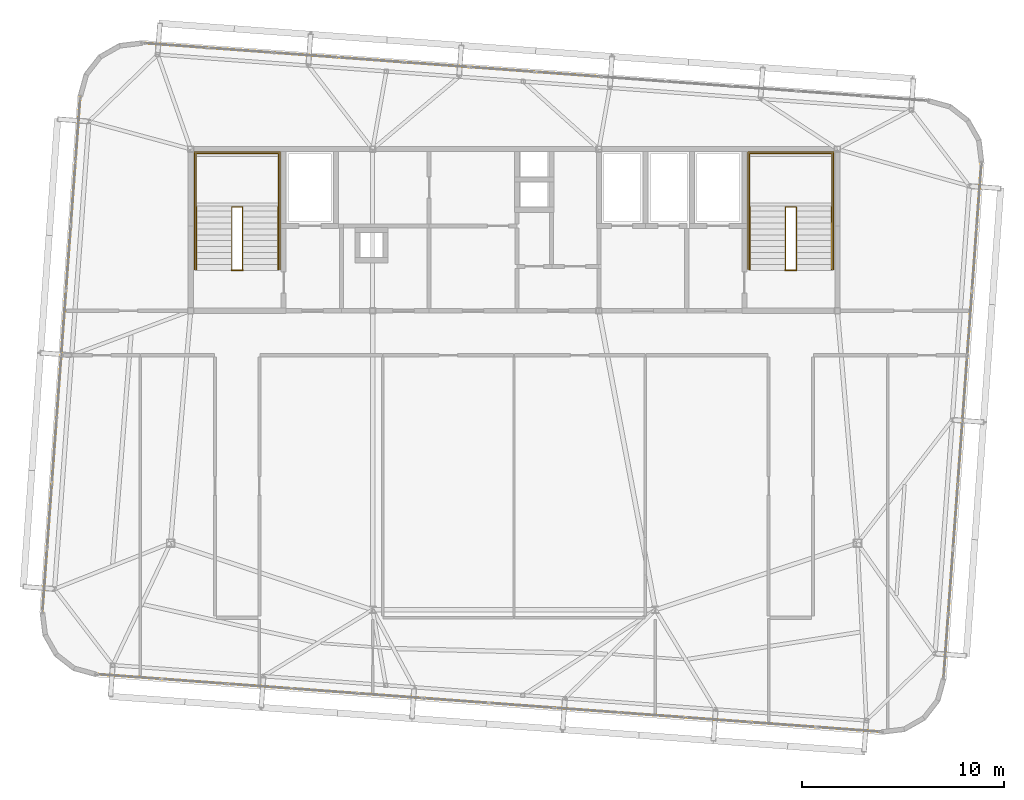
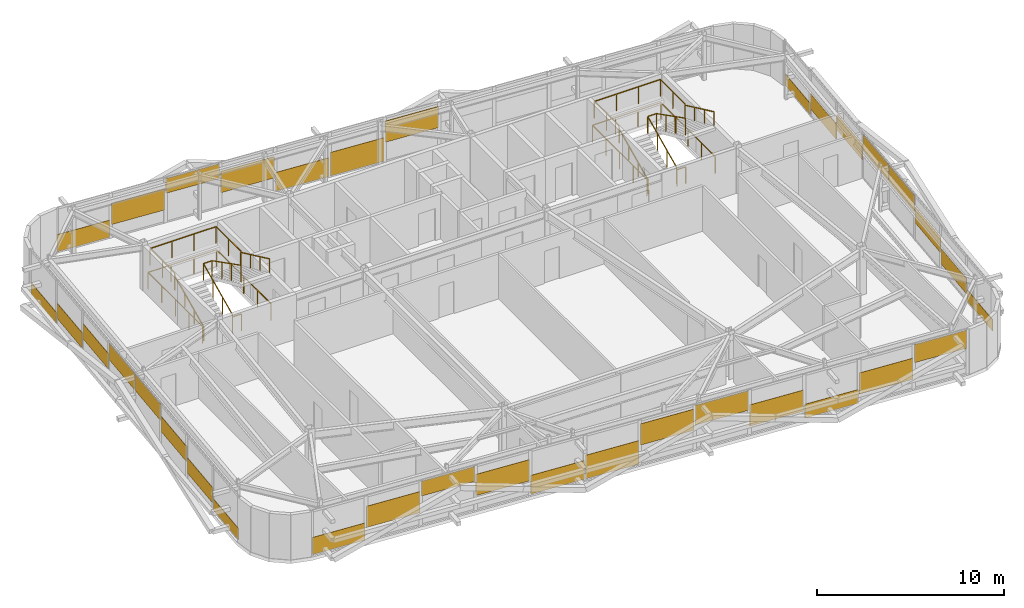
# One storey, part 41 of 42: 35 coverings, 12 railings.
"""IFC4 building model written with IfcOpenShell, lengths in metres."""

from ifc_helpers import new_model, si_unit, direction, frame, origin, origin_2d, place, context, subcontext, project, spatial, rectangle, extrude, source, transform, mapped, material, layer, layer_set, type_object, element, save


model = new_model("IFC4")

# Units and contexts
model_context = context("Model", 3, precision=1e-05, world=origin(), true_north=direction((0.0, 1.0)))
body_context = subcontext(model_context, "Body", "Model", "MODEL_VIEW")
ifc_project = project(units=[si_unit("LENGTHUNIT", "METRE"), si_unit("AREAUNIT", "SQUARE_METRE"), si_unit("VOLUMEUNIT", "CUBIC_METRE"), si_unit("PLANEANGLEUNIT", "RADIAN"), si_unit("MASSUNIT", "GRAM", prefix="KILO")], contexts=[model_context])

# Site, building, storey
site_placement = place(None, origin())
site = spatial("IfcSite", under=ifc_project, at=site_placement, CompositionType="ELEMENT")
building_placement = place(site_placement, origin())
building = spatial("IfcBuilding", under=site, at=building_placement, Name="Taldren Reach Tower", CompositionType="ELEMENT")
storey_placement = place(building_placement, frame((0.0, 0.0, 217.699951171875)))
storey = spatial("IfcBuildingStorey", under=building, at=storey_placement, Name="L66", CompositionType="ELEMENT", Elevation=217.699951171875)

# Railings
ifc_material_1 = material(Name="Steel Gr 350 (C350L0)", Category="steel")
ifc_layer_1 = layer(ifc_material_1, 0.050048828125)
ifc_layer_set_1 = layer_set([ifc_layer_1], Name="Steel Gr 350 (C350L0)")
railing_type_1 = type_object("IfcRailingType", Name="RL-STAIR-GR", PredefinedType="GUARDRAIL", material=ifc_layer_set_1)
railing_1_placement = place(storey_placement, frame((19.260009765625, 29.135009765625, 1.574951171875)))
element("IfcRailing", 1, at=railing_1_placement, inside=storey, type_object=railing_type_1, Name="Stair half-landing perimeter guard ST1-L66", PredefinedType="GUARDRAIL", context=body_context, shape_type="SweptSolid", body=[
    extrude(rectangle(XDim=0.047852, YDim=0.047852, at=origin_2d()), frame((0.0, 0.0, 1.09619140625), z_axis=(0.0, 1.0, 0.0), x_axis=(-1.0, 0.0, 0.0)), (0.0, 0.0, 1.0), 2.64501953125),
    extrude(rectangle(XDim=0.047852, YDim=0.047852, at=origin_2d()), frame((0.0, 2.64501953125, 1.09619140625), z_axis=(1.0, 0.0, 0.0), x_axis=(0.0, 1.0, 0.0)), (0.0, 0.0, 1.0), 4.080078125),
    extrude(rectangle(XDim=0.047852, YDim=0.047852, at=origin_2d()), frame((4.080078125, 2.64501953125, 1.09619140625), z_axis=(0.0, -1.0, 0.0), x_axis=(1.0, 0.0, 0.0)), (0.0, 0.0, 1.0), 2.64501953125),
    extrude(rectangle(XDim=0.041992, YDim=0.041992, at=origin_2d()), origin(), (0.0, 0.0, 1.0), 1.072021484375),
    extrude(rectangle(XDim=0.041992, YDim=0.041992, at=origin_2d()), frame((0.0, 1.322509765625, 0.0)), (0.0, 0.0, 1.0), 1.072021484375),
    extrude(rectangle(XDim=0.041992, YDim=0.041992, at=origin_2d()), frame((0.0, 2.64501953125, 0.0)), (0.0, 0.0, 1.0), 1.072021484375),
    extrude(rectangle(XDim=0.041992, YDim=0.041992, at=origin_2d()), frame((1.360107421875, 2.64501953125, 0.0)), (0.0, 0.0, 1.0), 1.072021484375),
    extrude(rectangle(XDim=0.041992, YDim=0.041992, at=origin_2d()), frame((2.719970703125, 2.64501953125, 0.0)), (0.0, 0.0, 1.0), 1.072021484375),
    extrude(rectangle(XDim=0.041992, YDim=0.041992, at=origin_2d()), frame((4.080078125, 2.64501953125, 0.0)), (0.0, 0.0, 1.0), 1.072021484375),
    extrude(rectangle(XDim=0.041992, YDim=0.041992, at=origin_2d()), frame((4.080078125, 1.322509765625, 0.0)), (0.0, 0.0, 1.0), 1.072021484375),
    extrude(rectangle(XDim=0.041992, YDim=0.041992, at=origin_2d()), frame((4.080078125, 0.0, 0.0)), (0.0, 0.0, 1.0), 1.072021484375),
])
railing_2_placement = place(storey_placement, frame((21.030029296875, 26.050048828125, 0.13134765625)))
element("IfcRailing", 2, at=railing_2_placement, inside=storey, type_object=railing_type_1, Name="Stairwell inner guard ST1-L66", PredefinedType="GUARDRAIL", context=body_context, shape_type="SweptSolid", body=[
    extrude(rectangle(XDim=0.047852, YDim=0.047852, at=origin_2d()), frame((0.0, 0.0, 1.09619140625), z_axis=(0.0, 0.905737652094, 0.423838773095), x_axis=(-1.0, 0.0, 0.0)), (0.0, 0.0, 1.0), 3.406005859375),
    extrude(rectangle(XDim=0.047852, YDim=0.047852, at=origin_2d()), frame((0.0, 3.0849609375, 2.53955078125), z_axis=(1.0, 0.0, 0.0), x_axis=(0.0, 1.0, 0.0)), (0.0, 0.0, 1.0), 0.5400390625),
    extrude(rectangle(XDim=0.047852, YDim=0.047852, at=origin_2d()), frame((0.5400390625, 3.0849609375, 2.53955078125), z_axis=(0.0, -0.890617412389, 0.454753366946), x_axis=(1.0, 0.0, 0.0)), (0.0, 0.0, 1.0), 3.4638671875),
    extrude(rectangle(XDim=0.041992, YDim=0.041992, at=origin_2d()), origin(), (0.0, 0.0, 1.0), 1.072021484375),
    extrude(rectangle(XDim=0.041992, YDim=0.041992, at=origin_2d()), frame((0.0, 1.0283203125, 0.481201171875)), (0.0, 0.0, 1.0), 1.072021484375),
    extrude(rectangle(XDim=0.041992, YDim=0.041992, at=origin_2d()), frame((0.0, 2.056640625, 0.96240234375)), (0.0, 0.0, 1.0), 1.072021484375),
    extrude(rectangle(XDim=0.041992, YDim=0.041992, at=origin_2d()), frame((0.0, 3.0849609375, 1.443603515625)), (0.0, 0.0, 1.0), 1.072021484375),
    extrude(rectangle(XDim=0.041992, YDim=0.041992, at=origin_2d()), frame((0.5400390625, 3.0849609375, 1.443603515625)), (0.0, 0.0, 1.0), 1.072021484375),
    extrude(rectangle(XDim=0.041992, YDim=0.041992, at=origin_2d()), frame((0.5400390625, 2.056640625, 1.96875)), (0.0, 0.0, 1.0), 1.072021484375),
    extrude(rectangle(XDim=0.041992, YDim=0.041992, at=origin_2d()), frame((0.5400390625, 1.0283203125, 2.49365234375)), (0.0, 0.0, 1.0), 1.072021484375),
    extrude(rectangle(XDim=0.041992, YDim=0.041992, at=origin_2d()), frame((0.5400390625, 0.0, 3.018798828125)), (0.0, 0.0, 1.0), 1.072021484375),
])
railing_3_placement = place(storey_placement, frame((21.030029296875, 26.010009765625, 0.0)))
element("IfcRailing", 3, at=railing_3_placement, inside=storey, type_object=railing_type_1, Name="Stairwell landing slot guard ST1-L66", PredefinedType="GUARDRAIL", context=body_context, shape_type="SweptSolid", body=[
    extrude(rectangle(XDim=0.047852, YDim=0.047852, at=origin_2d()), frame((0.0, 0.0, 1.09619140625), z_axis=(1.0, 0.0, 0.0), x_axis=(0.0, 1.0, 0.0)), (0.0, 0.0, 1.0), 0.5400390625),
    extrude(rectangle(XDim=0.041992, YDim=0.041992, at=origin_2d()), origin(), (0.0, 0.0, 1.0), 1.072021484375),
    extrude(rectangle(XDim=0.041992, YDim=0.041992, at=origin_2d()), frame((0.5400390625, 0.0, 0.0)), (0.0, 0.0, 1.0), 1.072021484375),
])
railing_4_placement = place(storey_placement, frame((19.18994140625, 26.050048828125, 0.0)))
element("IfcRailing", 4, at=railing_4_placement, inside=storey, type_object=railing_type_1, Name="Stairwell floor opening guard ST1-L66", PredefinedType="GUARDRAIL", context=body_context, shape_type="SweptSolid", body=[
    extrude(rectangle(XDim=0.047852, YDim=0.047852, at=origin_2d()), frame((0.0, 0.0, 1.09619140625), z_axis=(0.0, 1.0, 0.0), x_axis=(-1.0, 0.0, 0.0)), (0.0, 0.0, 1.0), 5.800048828125),
    extrude(rectangle(XDim=0.047852, YDim=0.047852, at=origin_2d()), frame((0.0, 5.800048828125, 1.09619140625), z_axis=(1.0, 0.0, 0.0), x_axis=(0.0, 1.0, 0.0)), (0.0, 0.0, 1.0), 4.219970703125),
    extrude(rectangle(XDim=0.047852, YDim=0.047852, at=origin_2d()), frame((4.219970703125, 5.800048828125, 1.09619140625), z_axis=(0.0, -1.0, 0.0), x_axis=(1.0, 0.0, 0.0)), (0.0, 0.0, 1.0), 5.800048828125),
    extrude(rectangle(XDim=0.041992, YDim=0.041992, at=origin_2d()), origin(), (0.0, 0.0, 1.0), 1.072021484375),
    extrude(rectangle(XDim=0.041992, YDim=0.041992, at=origin_2d()), frame((0.0, 1.449951171875, 0.0)), (0.0, 0.0, 1.0), 1.072021484375),
    extrude(rectangle(XDim=0.041992, YDim=0.041992, at=origin_2d()), frame((0.0, 2.89990234375, 0.0)), (0.0, 0.0, 1.0), 1.072021484375),
    extrude(rectangle(XDim=0.041992, YDim=0.041992, at=origin_2d()), frame((0.0, 4.35009765625, 0.0)), (0.0, 0.0, 1.0), 1.072021484375),
    extrude(rectangle(XDim=0.041992, YDim=0.041992, at=origin_2d()), frame((0.0, 5.800048828125, 0.0)), (0.0, 0.0, 1.0), 1.072021484375),
    extrude(rectangle(XDim=0.041992, YDim=0.041992, at=origin_2d()), frame((1.40673828125, 5.800048828125, 0.0)), (0.0, 0.0, 1.0), 1.072021484375),
    extrude(rectangle(XDim=0.041992, YDim=0.041992, at=origin_2d()), frame((2.813232421875, 5.800048828125, 0.0)), (0.0, 0.0, 1.0), 1.072021484375),
    extrude(rectangle(XDim=0.041992, YDim=0.041992, at=origin_2d()), frame((4.219970703125, 5.800048828125, 0.0)), (0.0, 0.0, 1.0), 1.072021484375),
    extrude(rectangle(XDim=0.041992, YDim=0.041992, at=origin_2d()), frame((4.219970703125, 4.35009765625, 0.0)), (0.0, 0.0, 1.0), 1.072021484375),
    extrude(rectangle(XDim=0.041992, YDim=0.041992, at=origin_2d()), frame((4.219970703125, 2.89990234375, 0.0)), (0.0, 0.0, 1.0), 1.072021484375),
    extrude(rectangle(XDim=0.041992, YDim=0.041992, at=origin_2d()), frame((4.219970703125, 1.449951171875, 0.0)), (0.0, 0.0, 1.0), 1.072021484375),
    extrude(rectangle(XDim=0.041992, YDim=0.041992, at=origin_2d()), frame((4.219970703125, 0.0, 0.0)), (0.0, 0.0, 1.0), 1.072021484375),
])
railing_5_placement = place(storey_placement, frame((46.659912109375, 29.135009765625, 1.574951171875)))
element("IfcRailing", 5, at=railing_5_placement, inside=storey, type_object=railing_type_1, Name="Stair half-landing perimeter guard ST2-L66", PredefinedType="GUARDRAIL", context=body_context, shape_type="SweptSolid", body=[
    extrude(rectangle(XDim=0.047852, YDim=0.047852, at=origin_2d()), frame((0.0, 0.0, 1.09619140625), z_axis=(0.0, 1.0, 0.0), x_axis=(-1.0, 0.0, 0.0)), (0.0, 0.0, 1.0), 2.64501953125),
    extrude(rectangle(XDim=0.047852, YDim=0.047852, at=origin_2d()), frame((0.0, 2.64501953125, 1.09619140625), z_axis=(1.0, 0.0, 0.0), x_axis=(0.0, 1.0, 0.0)), (0.0, 0.0, 1.0), 4.080078125),
    extrude(rectangle(XDim=0.047852, YDim=0.047852, at=origin_2d()), frame((4.080078125, 2.64501953125, 1.09619140625), z_axis=(0.0, -1.0, 0.0), x_axis=(1.0, 0.0, 0.0)), (0.0, 0.0, 1.0), 2.64501953125),
    extrude(rectangle(XDim=0.041992, YDim=0.041992, at=origin_2d()), origin(), (0.0, 0.0, 1.0), 1.072021484375),
    extrude(rectangle(XDim=0.041992, YDim=0.041992, at=origin_2d()), frame((0.0, 1.322509765625, 0.0)), (0.0, 0.0, 1.0), 1.072021484375),
    extrude(rectangle(XDim=0.041992, YDim=0.041992, at=origin_2d()), frame((0.0, 2.64501953125, 0.0)), (0.0, 0.0, 1.0), 1.072021484375),
    extrude(rectangle(XDim=0.041992, YDim=0.041992, at=origin_2d()), frame((1.360107421875, 2.64501953125, 0.0)), (0.0, 0.0, 1.0), 1.072021484375),
    extrude(rectangle(XDim=0.041992, YDim=0.041992, at=origin_2d()), frame((2.719970703125, 2.64501953125, 0.0)), (0.0, 0.0, 1.0), 1.072021484375),
    extrude(rectangle(XDim=0.041992, YDim=0.041992, at=origin_2d()), frame((4.080078125, 2.64501953125, 0.0)), (0.0, 0.0, 1.0), 1.072021484375),
    extrude(rectangle(XDim=0.041992, YDim=0.041992, at=origin_2d()), frame((4.080078125, 1.322509765625, 0.0)), (0.0, 0.0, 1.0), 1.072021484375),
    extrude(rectangle(XDim=0.041992, YDim=0.041992, at=origin_2d()), frame((4.080078125, 0.0, 0.0)), (0.0, 0.0, 1.0), 1.072021484375),
])
railing_6_placement = place(storey_placement, frame((48.429931640625, 26.050048828125, 0.13134765625)))
element("IfcRailing", 6, at=railing_6_placement, inside=storey, type_object=railing_type_1, Name="Stairwell inner guard ST2-L66", PredefinedType="GUARDRAIL", context=body_context, shape_type="SweptSolid", body=[
    extrude(rectangle(XDim=0.047852, YDim=0.047852, at=origin_2d()), frame((0.0, 0.0, 1.09619140625), z_axis=(0.0, 0.905737652094, 0.423838773095), x_axis=(-1.0, 0.0, 0.0)), (0.0, 0.0, 1.0), 3.406005859375),
    extrude(rectangle(XDim=0.047852, YDim=0.047852, at=origin_2d()), frame((0.0, 3.0849609375, 2.53955078125), z_axis=(1.0, 0.0, 0.0), x_axis=(0.0, 1.0, 0.0)), (0.0, 0.0, 1.0), 0.5400390625),
    extrude(rectangle(XDim=0.047852, YDim=0.047852, at=origin_2d()), frame((0.5400390625, 3.0849609375, 2.53955078125), z_axis=(0.0, -0.890617412389, 0.454753366946), x_axis=(1.0, 0.0, 0.0)), (0.0, 0.0, 1.0), 3.4638671875),
    extrude(rectangle(XDim=0.041992, YDim=0.041992, at=origin_2d()), origin(), (0.0, 0.0, 1.0), 1.072021484375),
    extrude(rectangle(XDim=0.041992, YDim=0.041992, at=origin_2d()), frame((0.0, 1.0283203125, 0.481201171875)), (0.0, 0.0, 1.0), 1.072021484375),
    extrude(rectangle(XDim=0.041992, YDim=0.041992, at=origin_2d()), frame((0.0, 2.056640625, 0.96240234375)), (0.0, 0.0, 1.0), 1.072021484375),
    extrude(rectangle(XDim=0.041992, YDim=0.041992, at=origin_2d()), frame((0.0, 3.0849609375, 1.443603515625)), (0.0, 0.0, 1.0), 1.072021484375),
    extrude(rectangle(XDim=0.041992, YDim=0.041992, at=origin_2d()), frame((0.5400390625, 3.0849609375, 1.443603515625)), (0.0, 0.0, 1.0), 1.072021484375),
    extrude(rectangle(XDim=0.041992, YDim=0.041992, at=origin_2d()), frame((0.5400390625, 2.056640625, 1.96875)), (0.0, 0.0, 1.0), 1.072021484375),
    extrude(rectangle(XDim=0.041992, YDim=0.041992, at=origin_2d()), frame((0.5400390625, 1.0283203125, 2.49365234375)), (0.0, 0.0, 1.0), 1.072021484375),
    extrude(rectangle(XDim=0.041992, YDim=0.041992, at=origin_2d()), frame((0.5400390625, 0.0, 3.018798828125)), (0.0, 0.0, 1.0), 1.072021484375),
])
railing_7_placement = place(storey_placement, frame((48.429931640625, 26.010009765625, 0.0)))
element("IfcRailing", 7, at=railing_7_placement, inside=storey, type_object=railing_type_1, Name="Stairwell landing slot guard ST2-L66", PredefinedType="GUARDRAIL", context=body_context, shape_type="SweptSolid", body=[
    extrude(rectangle(XDim=0.047852, YDim=0.047852, at=origin_2d()), frame((0.0, 0.0, 1.09619140625), z_axis=(1.0, 0.0, 0.0), x_axis=(0.0, 1.0, 0.0)), (0.0, 0.0, 1.0), 0.5400390625),
    extrude(rectangle(XDim=0.041992, YDim=0.041992, at=origin_2d()), origin(), (0.0, 0.0, 1.0), 1.072021484375),
    extrude(rectangle(XDim=0.041992, YDim=0.041992, at=origin_2d()), frame((0.5400390625, 0.0, 0.0)), (0.0, 0.0, 1.0), 1.072021484375),
])
railing_8_placement = place(storey_placement, frame((46.590087890625, 26.050048828125, 0.0)))
element("IfcRailing", 8, at=railing_8_placement, inside=storey, type_object=railing_type_1, Name="Stairwell floor opening guard ST2-L66", PredefinedType="GUARDRAIL", context=body_context, shape_type="SweptSolid", body=[
    extrude(rectangle(XDim=0.047852, YDim=0.047852, at=origin_2d()), frame((0.0, 0.0, 1.09619140625), z_axis=(0.0, 1.0, 0.0), x_axis=(-1.0, 0.0, 0.0)), (0.0, 0.0, 1.0), 5.800048828125),
    extrude(rectangle(XDim=0.047852, YDim=0.047852, at=origin_2d()), frame((0.0, 5.800048828125, 1.09619140625), z_axis=(1.0, 0.0, 0.0), x_axis=(0.0, 1.0, 0.0)), (0.0, 0.0, 1.0), 4.219970703125),
    extrude(rectangle(XDim=0.047852, YDim=0.047852, at=origin_2d()), frame((4.219970703125, 5.800048828125, 1.09619140625), z_axis=(0.0, -1.0, 0.0), x_axis=(1.0, 0.0, 0.0)), (0.0, 0.0, 1.0), 5.800048828125),
    extrude(rectangle(XDim=0.041992, YDim=0.041992, at=origin_2d()), origin(), (0.0, 0.0, 1.0), 1.072021484375),
    extrude(rectangle(XDim=0.041992, YDim=0.041992, at=origin_2d()), frame((0.0, 1.449951171875, 0.0)), (0.0, 0.0, 1.0), 1.072021484375),
    extrude(rectangle(XDim=0.041992, YDim=0.041992, at=origin_2d()), frame((0.0, 2.89990234375, 0.0)), (0.0, 0.0, 1.0), 1.072021484375),
    extrude(rectangle(XDim=0.041992, YDim=0.041992, at=origin_2d()), frame((0.0, 4.35009765625, 0.0)), (0.0, 0.0, 1.0), 1.072021484375),
    extrude(rectangle(XDim=0.041992, YDim=0.041992, at=origin_2d()), frame((0.0, 5.800048828125, 0.0)), (0.0, 0.0, 1.0), 1.072021484375),
    extrude(rectangle(XDim=0.041992, YDim=0.041992, at=origin_2d()), frame((1.40673828125, 5.800048828125, 0.0)), (0.0, 0.0, 1.0), 1.072021484375),
    extrude(rectangle(XDim=0.041992, YDim=0.041992, at=origin_2d()), frame((2.813232421875, 5.800048828125, 0.0)), (0.0, 0.0, 1.0), 1.072021484375),
    extrude(rectangle(XDim=0.041992, YDim=0.041992, at=origin_2d()), frame((4.219970703125, 5.800048828125, 0.0)), (0.0, 0.0, 1.0), 1.072021484375),
    extrude(rectangle(XDim=0.041992, YDim=0.041992, at=origin_2d()), frame((4.219970703125, 4.35009765625, 0.0)), (0.0, 0.0, 1.0), 1.072021484375),
    extrude(rectangle(XDim=0.041992, YDim=0.041992, at=origin_2d()), frame((4.219970703125, 2.89990234375, 0.0)), (0.0, 0.0, 1.0), 1.072021484375),
    extrude(rectangle(XDim=0.041992, YDim=0.041992, at=origin_2d()), frame((4.219970703125, 1.449951171875, 0.0)), (0.0, 0.0, 1.0), 1.072021484375),
    extrude(rectangle(XDim=0.041992, YDim=0.041992, at=origin_2d()), frame((4.219970703125, 0.0, 0.0)), (0.0, 0.0, 1.0), 1.072021484375),
])
ifc_material_2 = material(Name="Stainless Steel Gr 316", Category="steel")
ifc_layer_2 = layer(ifc_material_2, 0.048095703125)
ifc_layer_set_2 = layer_set([ifc_layer_2], Name="Stainless Steel Gr 316")
railing_type_2 = type_object("IfcRailingType", Name="RL-STAIR-HR", PredefinedType="HANDRAIL", material=ifc_layer_set_2)
railing_9_placement = place(storey_placement, frame((19.27001953125, 26.050048828125, 0.13134765625)))
element("IfcRailing", 9, at=railing_9_placement, inside=storey, type_object=railing_type_2, Name="Stair flight handrail ST1-L66-1", PredefinedType="HANDRAIL", context=body_context, shape_type="SweptSolid", body=[
    extrude(rectangle(XDim=0.047852, YDim=0.047852, at=origin_2d()), frame((0.0, 0.0, 0.89599609375), z_axis=(0.0, 0.905737652094, 0.423838773095), x_axis=(-1.0, 0.0, 0.0)), (0.0, 0.0, 1.0), 3.406005859375),
    extrude(rectangle(XDim=0.041992, YDim=0.041992, at=origin_2d()), origin(), (0.0, 0.0, 1.0), 0.871826171875),
    extrude(rectangle(XDim=0.041992, YDim=0.041992, at=origin_2d()), frame((0.0, 1.0283203125, 0.481201171875)), (0.0, 0.0, 1.0), 0.871826171875),
    extrude(rectangle(XDim=0.041992, YDim=0.041992, at=origin_2d()), frame((0.0, 2.056640625, 0.96240234375)), (0.0, 0.0, 1.0), 0.871826171875),
    extrude(rectangle(XDim=0.041992, YDim=0.041992, at=origin_2d()), frame((0.0, 3.0849609375, 1.443603515625)), (0.0, 0.0, 1.0), 0.871826171875),
])
railing_10_placement = place(storey_placement, frame((23.330078125, 29.135009765625, 1.706298828125)))
element("IfcRailing", 10, at=railing_10_placement, inside=storey, type_object=railing_type_2, Name="Stair flight handrail ST1-L66-2", PredefinedType="HANDRAIL", context=body_context, shape_type="SweptSolid", body=[
    extrude(rectangle(XDim=0.047852, YDim=0.047852, at=origin_2d()), frame((0.0, 0.0, 0.89599609375), z_axis=(0.0, -0.905710134349, 0.423897573167), x_axis=(1.0, 0.0, 0.0)), (0.0, 0.0, 1.0), 3.406005859375),
    extrude(rectangle(XDim=0.041992, YDim=0.041992, at=origin_2d()), origin(), (0.0, 0.0, 1.0), 0.871826171875),
    extrude(rectangle(XDim=0.041992, YDim=0.041992, at=origin_2d()), frame((0.0, -1.0283203125, 0.481201171875)), (0.0, 0.0, 1.0), 0.871826171875),
    extrude(rectangle(XDim=0.041992, YDim=0.041992, at=origin_2d()), frame((0.0, -2.056640625, 0.962646484375)), (0.0, 0.0, 1.0), 0.871826171875),
    extrude(rectangle(XDim=0.041992, YDim=0.041992, at=origin_2d()), frame((0.0, -3.0849609375, 1.44384765625)), (0.0, 0.0, 1.0), 0.871826171875),
])
railing_11_placement = place(storey_placement, frame((46.669921875, 26.050048828125, 0.13134765625)))
element("IfcRailing", 11, at=railing_11_placement, inside=storey, type_object=railing_type_2, Name="Stair flight handrail ST2-L66-1", PredefinedType="HANDRAIL", context=body_context, shape_type="SweptSolid", body=[
    extrude(rectangle(XDim=0.047852, YDim=0.047852, at=origin_2d()), frame((0.0, 0.0, 0.89599609375), z_axis=(0.0, 0.905737652094, 0.423838773095), x_axis=(-1.0, 0.0, 0.0)), (0.0, 0.0, 1.0), 3.406005859375),
    extrude(rectangle(XDim=0.041992, YDim=0.041992, at=origin_2d()), origin(), (0.0, 0.0, 1.0), 0.871826171875),
    extrude(rectangle(XDim=0.041992, YDim=0.041992, at=origin_2d()), frame((0.0, 1.0283203125, 0.481201171875)), (0.0, 0.0, 1.0), 0.871826171875),
    extrude(rectangle(XDim=0.041992, YDim=0.041992, at=origin_2d()), frame((0.0, 2.056640625, 0.96240234375)), (0.0, 0.0, 1.0), 0.871826171875),
    extrude(rectangle(XDim=0.041992, YDim=0.041992, at=origin_2d()), frame((0.0, 3.0849609375, 1.443603515625)), (0.0, 0.0, 1.0), 0.871826171875),
])
railing_12_placement = place(storey_placement, frame((50.72998046875, 29.135009765625, 1.706298828125)))
element("IfcRailing", 12, at=railing_12_placement, inside=storey, type_object=railing_type_2, Name="Stair flight handrail ST2-L66-2", PredefinedType="HANDRAIL", context=body_context, shape_type="SweptSolid", body=[
    extrude(rectangle(XDim=0.047852, YDim=0.047852, at=origin_2d()), frame((0.0, 0.0, 0.89599609375), z_axis=(0.0, -0.905710134349, 0.423897573167), x_axis=(1.0, 0.0, 0.0)), (0.0, 0.0, 1.0), 3.406005859375),
    extrude(rectangle(XDim=0.041992, YDim=0.041992, at=origin_2d()), origin(), (0.0, 0.0, 1.0), 0.871826171875),
    extrude(rectangle(XDim=0.041992, YDim=0.041992, at=origin_2d()), frame((0.0, -1.0283203125, 0.481201171875)), (0.0, 0.0, 1.0), 0.871826171875),
    extrude(rectangle(XDim=0.041992, YDim=0.041992, at=origin_2d()), frame((0.0, -2.056640625, 0.962646484375)), (0.0, 0.0, 1.0), 0.871826171875),
    extrude(rectangle(XDim=0.041992, YDim=0.041992, at=origin_2d()), frame((0.0, -3.0849609375, 1.44384765625)), (0.0, 0.0, 1.0), 0.871826171875),
])

# Coverings
ifc_material_3 = material(Name="Pale Champagne Fluoropolymer Aluminium Spandrel Cladding", Category="aluminium")
ifc_layer_3 = layer(ifc_material_3, 0.0439453125)
ifc_layer_set_3 = layer_set([ifc_layer_3], Name="Pale Champagne Fluoropolymer Aluminium Spandrel Cladding")
covering_type = type_object("IfcCoveringType", Name="CV-CLAD-044", PredefinedType="CLADDING", material=ifc_layer_set_3)
shared_shape_1 = source(origin(), body_context, "Body", "SweptSolid", [
    extrude(rectangle(XDim=3.137451171875, YDim=0.0439453125, at=origin_2d()), origin(), (0.0, 0.0, 1.0), 1.1796875),
])
covering_1_placement = place(storey_placement, frame((51.561279296875, 3.2744140625, 1.6904296875), z_axis=(0.0, 0.0, 1.0), x_axis=(0.997314476006, -0.073238213716, 0.0)))
element("IfcCovering", 13, at=covering_1_placement, inside=storey, type_object=covering_type, Name="Diagrid closure cladding strip CW-6 panel 12.1 1", PredefinedType="CLADDING", context=body_context, shape_type="MappedRepresentation", body=[
    mapped(shared_shape_1, transform((0.0, 0.0, 0.0), scale=1.0)),
])
shared_shape_2 = source(origin(), body_context, "Body", "SweptSolid", [
    extrude(rectangle(XDim=3.175048828125, YDim=0.0439453125, at=origin_2d()), origin(), (0.0, 0.0, 1.0), 1.383056640625),
])
for number, where, z_axis, x_axis, name in (
    (14, (19.16748046875, 5.653076171875, 0.8525390625), (0.0, 0.0, 1.0), (0.997314476006, -0.073238213716, 0.0), "Diagrid closure cladding strip CW-6 panel 2.1 1"),
    (15, (25.64990234375, 5.177001953125, 0.953125), (0.0, 0.0, 1.0), (0.997314476006, -0.073238213716, 0.0), "Diagrid closure cladding strip CW-6 panel 4.1 1"),
    (16, (35.373779296875, 4.463134765625, 1.271484375), (0.0, 0.0, 1.0), (0.997314476006, -0.073238213716, 0.0), "Diagrid closure cladding strip CW-6 panel 7.1 1"),
    (17, (41.856201171875, 3.987060546875, 0.5341796875), (0.0, 0.0, 1.0), (0.997314476006, -0.073238213716, 0.0), "Diagrid closure cladding strip CW-6 panel 9.1 1"),
    (18, (48.3388671875, 3.510986328125, 0.634765625), (0.0, 0.0, 1.0), (0.997314476006, -0.073238213716, 0.0), "Diagrid closure cladding strip CW-6 panel 11.1 1"),
    (19, (37.66748046875, 35.698974609375, 1.271484375), (0.0, 0.0, 1.0), (-0.997314476006, 0.073238213716, 0.0), "Diagrid closure cladding strip CW-6 panel 6.1 1"),
    (20, (27.94384765625, 36.4130859375, 0.953125), (0.0, 0.0, 1.0), (-0.997314476006, 0.073238213716, 0.0), "Diagrid closure cladding strip CW-6 panel 9.1 1"),
    (21, (21.461181640625, 36.88916015625, 0.8525390625), (0.0, 0.0, 1.0), (-0.997314476006, 0.073238213716, 0.0), "Diagrid closure cladding strip CW-6 panel 11.1 1"),
):
    element("IfcCovering", number, at=place(storey_placement, frame(where, z_axis=z_axis, x_axis=x_axis)), inside=storey, type_object=covering_type, Name=name, PredefinedType="CLADDING", context=body_context, shape_type="MappedRepresentation", body=[
        mapped(shared_shape_2, transform((0.0, 0.0, 0.0), scale=1.0)),
    ])
shared_shape_3 = source(origin(), body_context, "Body", "SweptSolid", [
    extrude(rectangle(XDim=3.175048828125, YDim=0.0439453125, at=origin_2d()), origin(), (0.0, 0.0, 1.0), 0.90185546875),
])
covering_2_placement = place(storey_placement, frame((45.09765625, 3.7490234375, 0.06005859375), z_axis=(0.0, 0.0, 1.0), x_axis=(0.997314476006, -0.073238213716, 0.0)))
element("IfcCovering", 22, at=covering_2_placement, inside=storey, type_object=covering_type, Name="Diagrid closure cladding strip CW-6 panel 10.1 1", PredefinedType="CLADDING", context=body_context, shape_type="MappedRepresentation", body=[
    mapped(shared_shape_3, transform((0.0, 0.0, 0.0), scale=1.0)),
])
shared_shape_4 = source(origin(), body_context, "Body", "SweptSolid", [
    extrude(rectangle(XDim=3.175048828125, YDim=0.0439453125, at=origin_2d()), origin(), (0.0, 0.0, 1.0), 1.2802734375),
])
covering_3_placement = place(storey_placement, frame((38.614990234375, 4.22509765625, 1.58984375), z_axis=(0.0, 0.0, 1.0), x_axis=(0.997314476006, -0.073238213716, 0.0)))
element("IfcCovering", 23, at=covering_3_placement, inside=storey, type_object=covering_type, Name="Diagrid closure cladding strip CW-6 panel 8.1 1", PredefinedType="CLADDING", context=body_context, shape_type="MappedRepresentation", body=[
    mapped(shared_shape_4, transform((0.0, 0.0, 0.0), scale=1.0)),
])
shared_shape_5 = source(origin(), body_context, "Body", "SweptSolid", [
    extrude(rectangle(XDim=3.175048828125, YDim=0.0439453125, at=origin_2d()), origin(), (0.0, 0.0, 1.0), 1.53857421875),
])
for number, where, z_axis, x_axis, name in (
    (24, (32.132568359375, 4.701171875, 0.06005859375), (0.0, 0.0, 1.0), (0.997314476006, -0.073238213716, 0.0), "Diagrid closure cladding strip CW-6 panel 6.1 1"),
    (25, (34.42626953125, 35.93701171875, 0.06005859375), (0.0, 0.0, 1.0), (-0.997314476006, 0.073238213716, 0.0), "Diagrid closure cladding strip CW-6 panel 7.1 1"),
):
    element("IfcCovering", number, at=place(storey_placement, frame(where, z_axis=z_axis, x_axis=x_axis)), inside=storey, type_object=covering_type, Name=name, PredefinedType="CLADDING", context=body_context, shape_type="MappedRepresentation", body=[
        mapped(shared_shape_5, transform((0.0, 0.0, 0.0), scale=1.0)),
    ])
shared_shape_6 = source(origin(), body_context, "Body", "SweptSolid", [
    extrude(rectangle(XDim=3.175048828125, YDim=0.0439453125, at=origin_2d()), origin(), (0.0, 0.0, 1.0), 1.22021484375),
])
for number, where, z_axis, x_axis, name in (
    (26, (28.89111328125, 4.939208984375, 0.06005859375), (0.0, 0.0, 1.0), (0.997314476006, -0.073238213716, 0.0), "Diagrid closure cladding strip CW-6 panel 5.1 1"),
    (27, (31.18505859375, 36.175048828125, 0.06005859375), (0.0, 0.0, 1.0), (-0.997314476006, 0.073238213716, 0.0), "Diagrid closure cladding strip CW-6 panel 8.1 1"),
):
    element("IfcCovering", number, at=place(storey_placement, frame(where, z_axis=z_axis, x_axis=x_axis)), inside=storey, type_object=covering_type, Name=name, PredefinedType="CLADDING", context=body_context, shape_type="MappedRepresentation", body=[
        mapped(shared_shape_6, transform((0.0, 0.0, 0.0), scale=1.0)),
    ])
shared_shape_7 = source(origin(), body_context, "Body", "SweptSolid", [
    extrude(rectangle(XDim=3.175048828125, YDim=0.0439453125, at=origin_2d()), origin(), (0.0, 0.0, 1.0), 0.9619140625),
])
for number, where, z_axis, x_axis, name in (
    (28, (22.40869140625, 5.4150390625, 1.908203125), (0.0, 0.0, 1.0), (0.997314476006, -0.073238213716, 0.0), "Diagrid closure cladding strip CW-6 panel 3.1 1"),
    (29, (24.702392578125, 36.651123046875, 1.908203125), (0.0, 0.0, 1.0), (-0.997314476006, 0.073238213716, 0.0), "Diagrid closure cladding strip CW-6 panel 10.1 1"),
):
    element("IfcCovering", number, at=place(storey_placement, frame(where, z_axis=z_axis, x_axis=x_axis)), inside=storey, type_object=covering_type, Name=name, PredefinedType="CLADDING", context=body_context, shape_type="MappedRepresentation", body=[
        mapped(shared_shape_7, transform((0.0, 0.0, 0.0), scale=1.0)),
    ])
shared_shape_8 = source(origin(), body_context, "Body", "SweptSolid", [
    extrude(rectangle(XDim=3.137451171875, YDim=0.0439453125, at=origin_2d()), origin(), (0.0, 0.0, 1.0), 1.11962890625),
])
for number, where, z_axis, x_axis, name in (
    (30, (15.94482421875, 5.889892578125, 0.06005859375), (0.0, 0.0, 1.0), (0.997314476006, -0.073238213716, 0.0), "Diagrid closure cladding strip CW-6 panel 1.1 1"),
    (31, (18.238525390625, 37.125732421875, 0.06005859375), (0.0, 0.0, 1.0), (-0.997314476006, 0.073238213716, 0.0), "Diagrid closure cladding strip CW-6 panel 12.1 1"),
):
    element("IfcCovering", number, at=place(storey_placement, frame(where, z_axis=z_axis, x_axis=x_axis)), inside=storey, type_object=covering_type, Name=name, PredefinedType="CLADDING", context=body_context, shape_type="MappedRepresentation", body=[
        mapped(shared_shape_8, transform((0.0, 0.0, 0.0), scale=1.0)),
    ])
shared_shape_9 = source(origin(), body_context, "Body", "SweptSolid", [
    extrude(rectangle(XDim=3.125, YDim=0.0439453125, at=origin_2d()), origin(), (0.0, 0.0, 1.0), 0.99658203125),
])
for number, where, z_axis, x_axis, name in (
    (32, (13.18603515625, 29.816162109375, 0.475830078125), (0.0, 0.0, 1.0), (-0.073238282558, -0.997314470951, 0.0), "Diagrid closure cladding strip CW-6 panel 2.1 1"),
    (33, (12.95166015625, 26.624755859375, 1.146240234375), (0.0, 0.0, 1.0), (-0.073238282558, -0.997314470951, 0.0), "Diagrid closure cladding strip CW-6 panel 3.1 1"),
    (34, (12.24853515625, 17.050537109375, 1.146240234375), (0.0, 0.0, 1.0), (-0.073238282558, -0.997314470951, 0.0), "Diagrid closure cladding strip CW-6 panel 6.1 1"),
    (35, (12.01416015625, 13.859130859375, 0.475830078125), (0.0, 0.0, 1.0), (-0.073238282558, -0.997314470951, 0.0), "Diagrid closure cladding strip CW-6 panel 7.1 1"),
    (36, (56.614013671875, 10.583984375, 0.475830078125), (0.0, 0.0, 1.0), (0.073238282558, 0.997314470951, 0.0), "Diagrid closure cladding strip CW-6 panel 2.1 1"),
    (37, (56.848388671875, 13.775390625, 1.146240234375), (0.0, 0.0, 1.0), (0.073238282558, 0.997314470951, 0.0), "Diagrid closure cladding strip CW-6 panel 3.1 1"),
    (38, (57.551513671875, 23.349609375, 1.146240234375), (0.0, 0.0, 1.0), (0.073238282558, 0.997314470951, 0.0), "Diagrid closure cladding strip CW-6 panel 6.1 1"),
    (39, (57.785888671875, 26.541015625, 0.475830078125), (0.0, 0.0, 1.0), (0.073238282558, 0.997314470951, 0.0), "Diagrid closure cladding strip CW-6 panel 7.1 1"),
):
    element("IfcCovering", number, at=place(storey_placement, frame(where, z_axis=z_axis, x_axis=x_axis)), inside=storey, type_object=covering_type, Name=name, PredefinedType="CLADDING", context=body_context, shape_type="MappedRepresentation", body=[
        mapped(shared_shape_9, transform((0.0, 0.0, 0.0), scale=1.0)),
    ])
shared_shape_10 = source(origin(), body_context, "Body", "SweptSolid", [
    extrude(rectangle(XDim=3.08740234375, YDim=0.0439453125, at=origin_2d()), origin(), (0.0, 0.0, 1.0), 0.7421875),
])
for number, where, z_axis, x_axis, name in (
    (40, (13.4189453125, 32.98876953125, 0.06005859375), (0.0, 0.0, 1.0), (-0.073238282558, -0.997314470951, 0.0), "Diagrid closure cladding strip CW-6 panel 1.1 1"),
    (41, (11.78125, 10.686279296875, 0.06005859375), (0.0, 0.0, 1.0), (-0.073238282558, -0.997314470951, 0.0), "Diagrid closure cladding strip CW-6 panel 8.1 1"),
    (42, (56.381103515625, 7.4111328125, 0.06005859375), (0.0, 0.0, 1.0), (0.073238282558, 0.997314470951, 0.0), "Diagrid closure cladding strip CW-6 panel 1.1 1"),
    (43, (58.018798828125, 29.713623046875, 0.06005859375), (0.0, 0.0, 1.0), (0.073238282558, 0.997314470951, 0.0), "Diagrid closure cladding strip CW-6 panel 8.1 1"),
):
    element("IfcCovering", number, at=place(storey_placement, frame(where, z_axis=z_axis, x_axis=x_axis)), inside=storey, type_object=covering_type, Name=name, PredefinedType="CLADDING", context=body_context, shape_type="MappedRepresentation", body=[
        mapped(shared_shape_10, transform((0.0, 0.0, 0.0), scale=1.0)),
    ])
shared_shape_11 = source(origin(), body_context, "Body", "SweptSolid", [
    extrude(rectangle(XDim=3.125, YDim=0.0439453125, at=origin_2d()), origin(), (0.0, 0.0, 1.0), 1.053466796875),
])
for number, where, z_axis, x_axis, name in (
    (44, (12.71728515625, 23.433349609375, 1.81640625), (0.0, 0.0, 1.0), (-0.073238282558, -0.997314470951, 0.0), "Diagrid closure cladding strip CW-6 panel 4.1 1"),
    (45, (12.48291015625, 20.241943359375, 1.81640625), (0.0, 0.0, 1.0), (-0.073238282558, -0.997314470951, 0.0), "Diagrid closure cladding strip CW-6 panel 5.1 1"),
    (46, (57.082763671875, 16.966796875, 1.81640625), (0.0, 0.0, 1.0), (0.073238282558, 0.997314470951, 0.0), "Diagrid closure cladding strip CW-6 panel 4.1 1"),
    (47, (57.317138671875, 20.158203125, 1.81640625), (0.0, 0.0, 1.0), (0.073238282558, 0.997314470951, 0.0), "Diagrid closure cladding strip CW-6 panel 5.1 1"),
):
    element("IfcCovering", number, at=place(storey_placement, frame(where, z_axis=z_axis, x_axis=x_axis)), inside=storey, type_object=covering_type, Name=name, PredefinedType="CLADDING", context=body_context, shape_type="MappedRepresentation", body=[
        mapped(shared_shape_11, transform((0.0, 0.0, 0.0), scale=1.0)),
    ])

save(model, "model.ifc")
